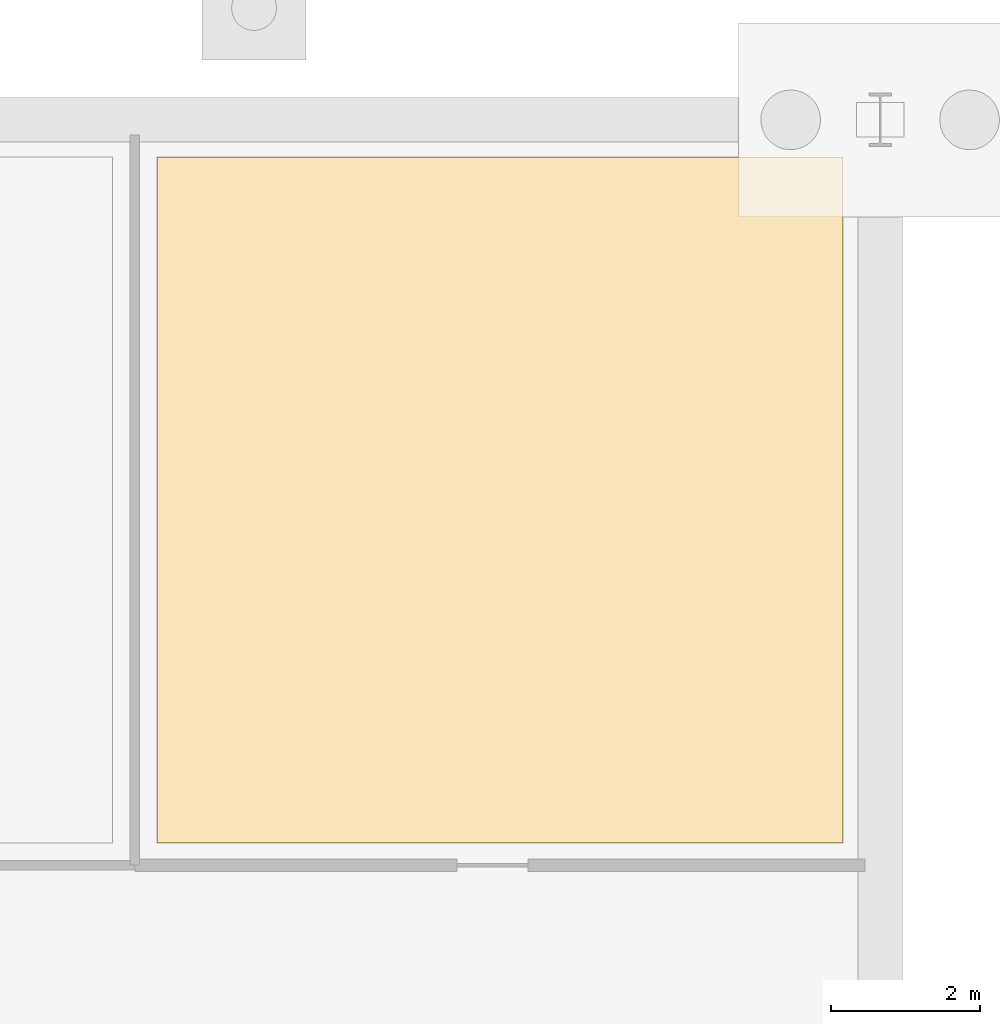
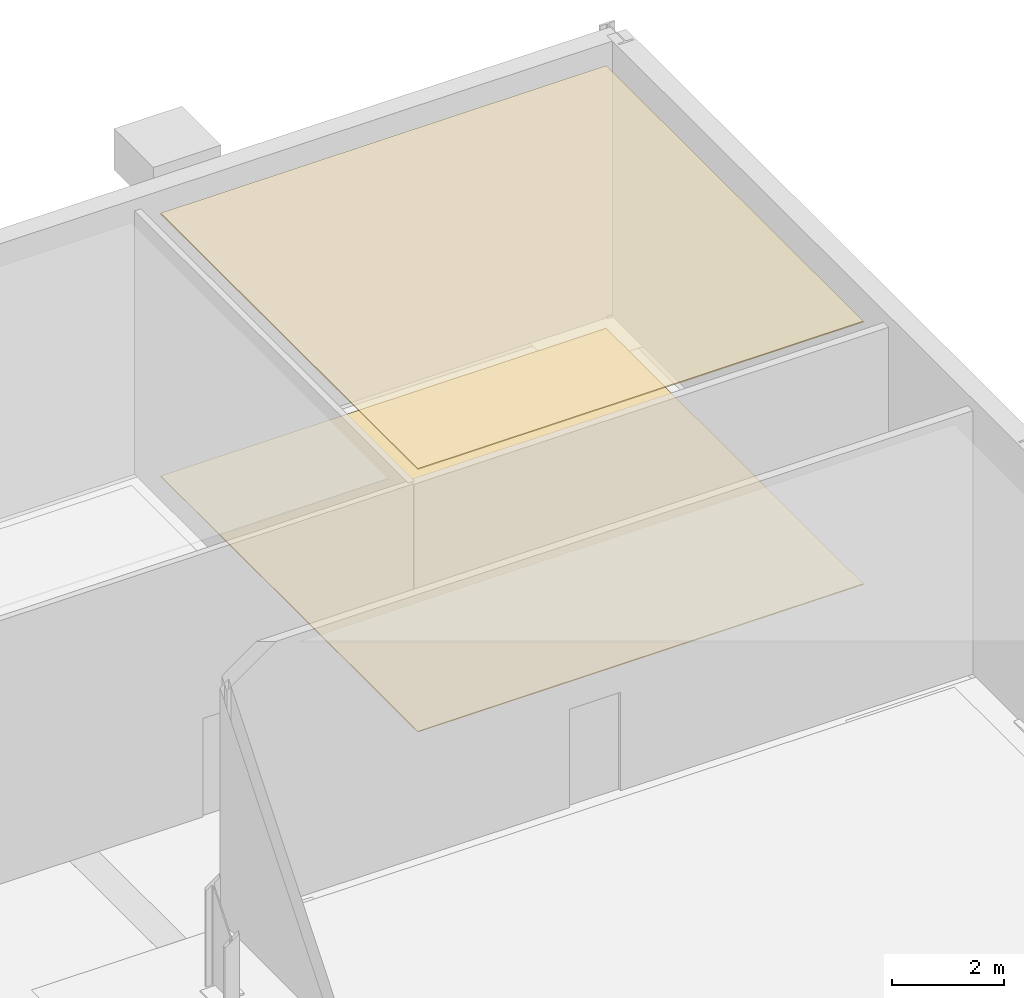
# One storey, part 45 of 46: 2 coverings.
"""IFC4 building model written with IfcOpenShell, lengths in metres."""

from ifc_helpers import new_model, si_unit, direction, frame, origin, place, context, subcontext, project, spatial, polyline, outline, extrude, material, layer, layer_set, type_object, element, save


model = new_model("IFC4")

# Units and contexts
model_context = context("Model", 3, precision=1e-05, world=origin(), true_north=direction((0.0, 1.0)))
body_context = subcontext(model_context, "Body", "Model", "MODEL_VIEW")
ifc_project = project(units=[si_unit("LENGTHUNIT", "METRE"), si_unit("AREAUNIT", "SQUARE_METRE"), si_unit("VOLUMEUNIT", "CUBIC_METRE"), si_unit("PLANEANGLEUNIT", "RADIAN"), si_unit("MASSUNIT", "GRAM", prefix="KILO")], contexts=[model_context])

# Site, building, storey
site_placement = place(None, origin())
site = spatial("IfcSite", under=ifc_project, at=site_placement, CompositionType="ELEMENT")
building_placement = place(site_placement, origin())
building = spatial("IfcBuilding", under=site, at=building_placement, Name="Kimbaza Rail Terminus", CompositionType="ELEMENT")
storey_placement = place(building_placement, frame((0.0, 0.0, -6.0)))
storey = spatial("IfcBuildingStorey", under=building, at=storey_placement, Name="B1", CompositionType="ELEMENT", Elevation=-6.0)

# Coverings
ifc_material_1 = material(Name="Perforated acoustic mineral ceiling tile", Category="gypsum")
ifc_layer_1 = layer(ifc_material_1, 0.02490234375)
ifc_layer_set_1 = layer_set([ifc_layer_1], Name="Perforated acoustic mineral ceiling tile")
covering_type_1 = type_object("IfcCoveringType", Name="ARC-COV-CEIL", PredefinedType="CEILING", material=ifc_layer_set_1)
covering_1_placement = place(storey_placement, frame((0.0, 0.0, 5.72998046875)))
element("IfcCovering", 1, at=covering_1_placement, inside=storey, type_object=covering_type_1, Name="Basement Staff Accessible WC Acoustic Ceiling", PredefinedType="CEILING", context=body_context, shape_type="SweptSolid", body=[
    extrude(outline(polyline([(146.300048828125, 123.300048828125), (155.5, 123.300048828125), (155.5, 132.5), (146.300048828125, 132.5), (146.300048828125, 123.300048828125)])), origin(), (0.0, 0.0, 1.0), 0.02490234375),
])
ifc_material_2 = material(Name="Honed Congolese granite terrazzo flooring", Category="masonry")
ifc_layer_2 = layer(ifc_material_2, 0.02001953125)
ifc_layer_set_2 = layer_set([ifc_layer_2], Name="Honed Congolese granite terrazzo flooring")
covering_type_2 = type_object("IfcCoveringType", Name="ARC-COV-FLOR", PredefinedType="FLOORING", material=ifc_layer_set_2)
covering_2_placement = place(storey_placement, origin())
element("IfcCovering", 2, at=covering_2_placement, inside=storey, type_object=covering_type_2, Name="Basement Staff Accessible WC Terrazzo Flooring", PredefinedType="FLOORING", context=body_context, shape_type="SweptSolid", body=[
    extrude(outline(polyline([(146.300048828125, 123.300048828125), (155.5, 123.300048828125), (155.5, 132.5), (146.300048828125, 132.5), (146.300048828125, 123.300048828125)])), origin(), (0.0, 0.0, 1.0), 0.02001953125),
])

save(model, "model.ifc")
